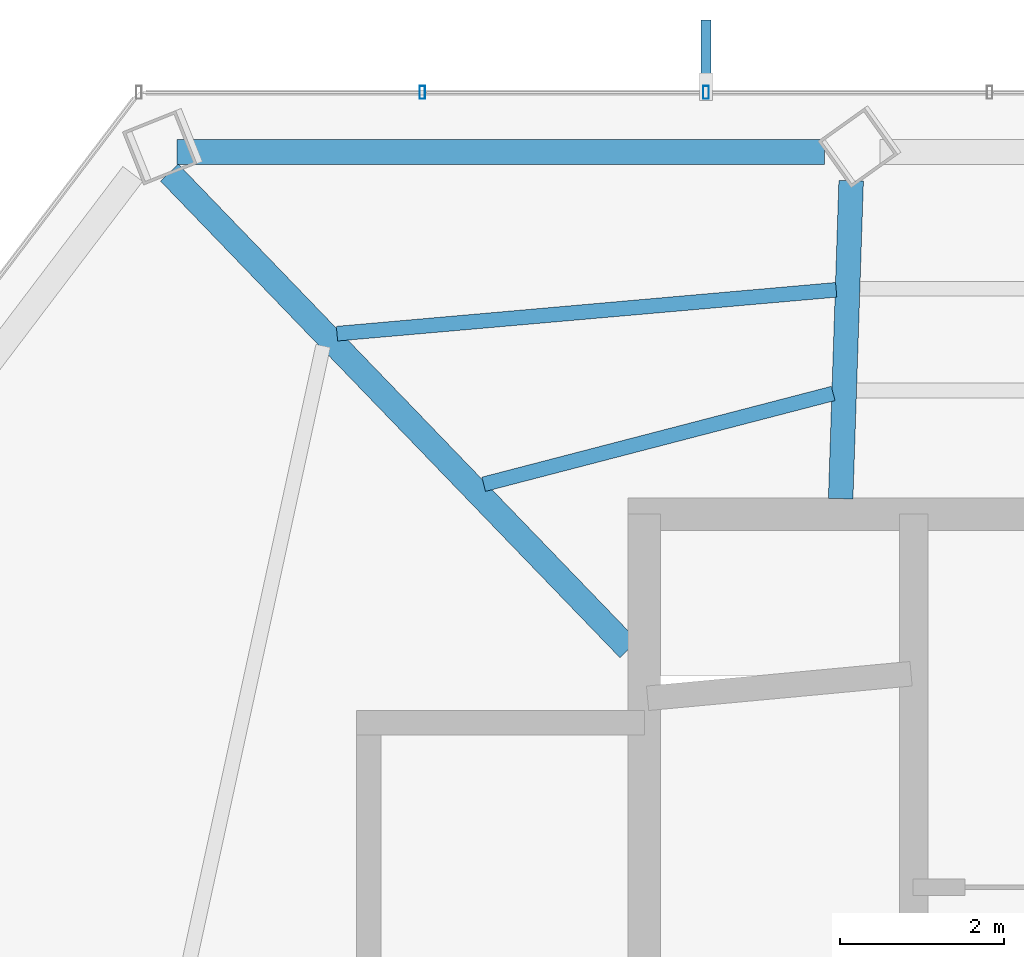
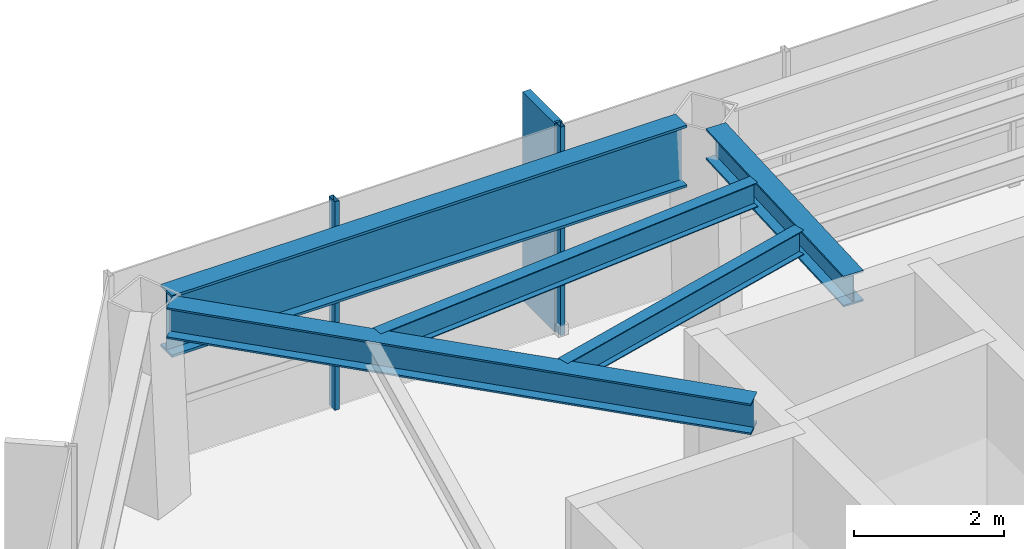
# One storey, part 11 of 28: 5 beams, 3 members, 1 element without a shape of its own.
"""IFC4 building model written with IfcOpenShell, lengths in metres."""

from ifc_helpers import new_model, si_unit, direction, frame, origin, origin_2d, place, context, subcontext, project, spatial, rectangle, hollow_rectangle, i_section, extrude, material, layer, layer_set, material_profile, profile_set, type_object, element, aggregate, save


model = new_model("IFC4")

# Units and contexts
model_context = context("Model", 3, precision=1e-05, world=origin(), true_north=direction((0.0, 1.0)))
body_context = subcontext(model_context, "Body", "Model", "MODEL_VIEW")
ifc_project = project(units=[si_unit("LENGTHUNIT", "METRE"), si_unit("AREAUNIT", "SQUARE_METRE"), si_unit("VOLUMEUNIT", "CUBIC_METRE"), si_unit("PLANEANGLEUNIT", "RADIAN"), si_unit("MASSUNIT", "GRAM", prefix="KILO")], contexts=[model_context])

# Site, building, storey
site_placement = place(None, origin())
site = spatial("IfcSite", under=ifc_project, at=site_placement, CompositionType="ELEMENT")
building_placement = place(site_placement, origin())
building = spatial("IfcBuilding", under=site, at=building_placement, Name="Zarrinselat Tower", CompositionType="ELEMENT")
storey_placement = place(building_placement, frame((0.0, 0.0, 190.739990234375)))
storey = spatial("IfcBuildingStorey", under=building, at=storey_placement, Name="L47", CompositionType="ELEMENT", Elevation=190.739990234375)

# Beams
ifc_material_1 = material(Name="Steel S355J2", Category="steel")
ifc_material_profile_1 = material_profile(ifc_material_1, i_section(OverallWidth=0.300048828125, OverallDepth=0.5, WebThickness=0.014404296875, FlangeThickness=0.028076171875, at=origin_2d()), Name="HEB 500")
ifc_profile_set_1 = profile_set([ifc_material_profile_1], Name="Steel S355J2")
beam_type_1 = type_object("IfcBeamType", Name="BM-HEB500", PredefinedType="BEAM", material=ifc_profile_set_1)
beam_1_placement = place(storey_placement, frame((31.0, 43.639892578125, 3.139892578125), z_axis=(0.032963606618, 0.999456552652, 0.0), x_axis=(-0.999456552652, 0.032963606618, 0.0)))
element("IfcBeam", 1, at=beam_1_placement, inside=storey, type_object=beam_type_1, Name="L47 Radial Primary Girder RG04", PredefinedType="BEAM", context=body_context, shape_type="SweptSolid", body=[
    extrude(i_section(OverallWidth=0.300048828125, OverallDepth=0.5, WebThickness=0.014404296875, FlangeThickness=0.028076171875, at=origin_2d()), origin(), (0.0, 0.0, 1.0), 3.888427734375),
])
beam_2_placement = place(storey_placement, frame((22.794921875, 47.62451171875, 3.139892578125), z_axis=(0.694042301075, -0.719934222216, 0.0), x_axis=(0.719934222216, 0.694042301075, 0.0)))
element("IfcBeam", 2, at=beam_2_placement, inside=storey, type_object=beam_type_1, Name="L47 Radial Primary Girder RG05", PredefinedType="BEAM", context=body_context, shape_type="SweptSolid", body=[
    extrude(i_section(OverallWidth=0.300048828125, OverallDepth=0.5, WebThickness=0.014404296875, FlangeThickness=0.028076171875, at=origin_2d()), origin(), (0.0, 0.0, 1.0), 8.09033203125),
])
ifc_material_2 = material(Name="Steel S460M", Category="steel")
ifc_material_profile_2 = material_profile(ifc_material_2, i_section(OverallWidth=0.302001953125, OverallDepth=1.008056640625, WebThickness=0.02099609375, FlangeThickness=0.0400390625, at=origin_2d()), Name="HEM 1000")
ifc_profile_set_2 = profile_set([ifc_material_profile_2], Name="Steel S460M")
beam_type_2 = type_object("IfcBeamType", Name="BM-HEM1000", PredefinedType="BEAM", material=ifc_profile_set_2)
beam_3_placement = place(storey_placement, frame((22.888427734375, 47.8779296875, 2.885986328125), z_axis=(1.0, 0.0, 0.0), x_axis=(0.0, 1.0, 0.0)))
element("IfcBeam", 3, at=beam_3_placement, inside=storey, type_object=beam_type_2, Name="L47 Perimeter Spandrel Girder SP04", PredefinedType="BEAM", context=body_context, shape_type="SweptSolid", body=[
    extrude(i_section(OverallWidth=0.302001953125, OverallDepth=1.008056640625, WebThickness=0.02099609375, FlangeThickness=0.0400390625, at=origin_2d()), origin(), (0.0, 0.0, 1.0), 7.913330078125),
])
ifc_material_3 = material(Name="Steel S355J2", Category="steel")
ifc_material_profile_3 = material_profile(ifc_material_3, i_section(OverallWidth=0.179931640625, OverallDepth=0.39990234375, WebThickness=0.008544921875, FlangeThickness=0.013427734375, at=origin_2d()), Name="IPE 400")
ifc_profile_set_3 = profile_set([ifc_material_profile_3], Name="Steel S355J2")
beam_type_3 = type_object("IfcBeamType", Name="BM-IPE400", PredefinedType="JOIST", material=ifc_profile_set_3)
beam_4_placement = place(storey_placement, frame((24.843505859375, 45.656494140625, 3.18994140625), z_axis=(0.996161808144, 0.087530863104, 0.0), x_axis=(-0.087530863104, 0.996161808144, 0.0)))
element("IfcBeam", 4, at=beam_4_placement, inside=storey, type_object=beam_type_3, Name="L47 Composite Floor Joist 9-1", PredefinedType="JOIST", context=body_context, shape_type="SweptSolid", body=[
    extrude(i_section(OverallWidth=0.179931640625, OverallDepth=0.39990234375, WebThickness=0.008544921875, FlangeThickness=0.013427734375, at=origin_2d()), origin(), (0.0, 0.0, 1.0), 6.125),
])
beam_5_placement = place(storey_placement, frame((26.63623046875, 43.815673828125, 3.18994140625), z_axis=(0.967842439968, 0.251557173218, 0.0), x_axis=(-0.251557173218, 0.967842439968, 0.0)))
element("IfcBeam", 5, at=beam_5_placement, inside=storey, type_object=beam_type_3, Name="L47 Composite Floor Joist 9-2", PredefinedType="JOIST", context=body_context, shape_type="SweptSolid", body=[
    extrude(i_section(OverallWidth=0.179931640625, OverallDepth=0.39990234375, WebThickness=0.008544921875, FlangeThickness=0.013427734375, at=origin_2d()), origin(), (0.0, 0.0, 1.0), 4.413818359375),
])

# Curtain wall, members
ifc_material_4 = material(Name="Extruded Aluminium Alloy EN AW-6063 T6", Category="aluminium")
ifc_layer = layer(ifc_material_4, 0.175048828125)
ifc_layer_set = layer_set([ifc_layer], Name="Extruded Aluminium Alloy EN AW-6063 T6")
curtain_wall_type = type_object("IfcCurtainWallType", Name="CWS-HTL", PredefinedType="NOTDEFINED", material=ifc_layer_set)
curtain_wall_placement = place(storey_placement, origin())
curtain_wall = element("IfcCurtainWall", 6, at=curtain_wall_placement, inside=storey, type_object=curtain_wall_type, Name="L47 Unitised Curtain Wall CW-L47-E01", PredefinedType="NOTDEFINED")
ifc_material_5 = material(Name="Extruded Aluminium Alloy EN AW-6063 T6", Category="aluminium")
ifc_material_profile_4 = material_profile(ifc_material_5, hollow_rectangle(XDim=0.070068359375, YDim=0.159912109375, WallThickness=0.00390625, at=origin_2d()), Name="RHS 160x70x4")
ifc_profile_set_4 = profile_set([ifc_material_profile_4], Name="Extruded Aluminium Alloy EN AW-6063 T6")
member_type_1 = type_object("IfcMemberType", Name="MEM-CW-MUL2", PredefinedType="MULLION", material=ifc_profile_set_4)
member_1_placement = place(storey_placement, frame((29.35400390625, 48.605712890625, 0.0), z_axis=(0.0, 0.0, 1.0), x_axis=(-1.0, 0.0, 0.0)))
member_1 = element("IfcMember", 7, at=member_1_placement, type_object=member_type_1, Name="CW-L47-E01 Mullion 9", PredefinedType="MULLION", context=body_context, shape_type="SweptSolid", body=[
    extrude(hollow_rectangle(XDim=0.070068359375, YDim=0.159912109375, WallThickness=0.00390625, at=origin_2d()), origin(), (0.0, 0.0, 1.0), 3.389892578125),
])
member_2_placement = place(storey_placement, frame((25.8876953125, 48.605712890625, 0.0), z_axis=(0.0, 0.0, 1.0), x_axis=(-1.0, 0.0, 0.0)))
member_2 = element("IfcMember", 8, at=member_2_placement, type_object=member_type_1, Name="CW-L47-E01 Mullion 10", PredefinedType="MULLION", context=body_context, shape_type="SweptSolid", body=[
    extrude(hollow_rectangle(XDim=0.070068359375, YDim=0.159912109375, WallThickness=0.00390625, at=origin_2d()), origin(), (0.0, 0.0, 1.0), 3.389892578125),
])
ifc_material_6 = material(Name="Honed Cream Travertine Stone", Category="masonry")
ifc_material_profile_5 = material_profile(ifc_material_6, rectangle(XDim=0.1201171875, YDim=0.85009765625, at=origin_2d()), Name="FIN 850x120")
ifc_profile_set_5 = profile_set([ifc_material_profile_5], Name="Honed Cream Travertine Stone")
member_type_2 = type_object("IfcMemberType", Name="MEM-STONE-FIN", PredefinedType="USERDEFINED", material=ifc_profile_set_5)
member_3_placement = place(storey_placement, frame((29.35400390625, 49.065673828125, 0.0), z_axis=(0.0, 0.0, 1.0), x_axis=(1.0, 0.0, 0.0)))
member_3 = element("IfcMember", 9, at=member_3_placement, type_object=member_type_2, Name="L47 Stone Shading Fin CW-L47-E01-09", ObjectType="FIN", PredefinedType="USERDEFINED", context=body_context, shape_type="SweptSolid", body=[
    extrude(rectangle(XDim=0.1201171875, YDim=0.85009765625, at=origin_2d()), origin(), (0.0, 0.0, 1.0), 3.389892578125),
])
aggregate(curtain_wall, [member_1, member_3, member_2])

save(model, "model.ifc")
